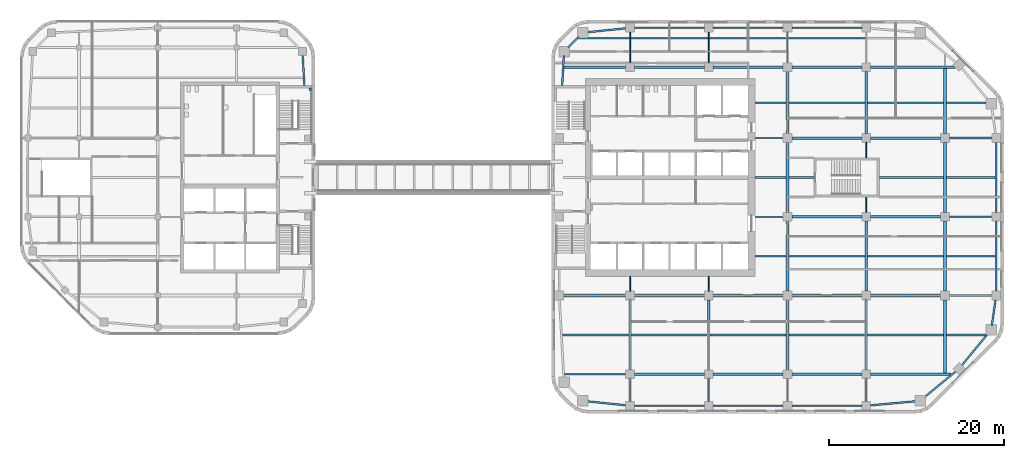
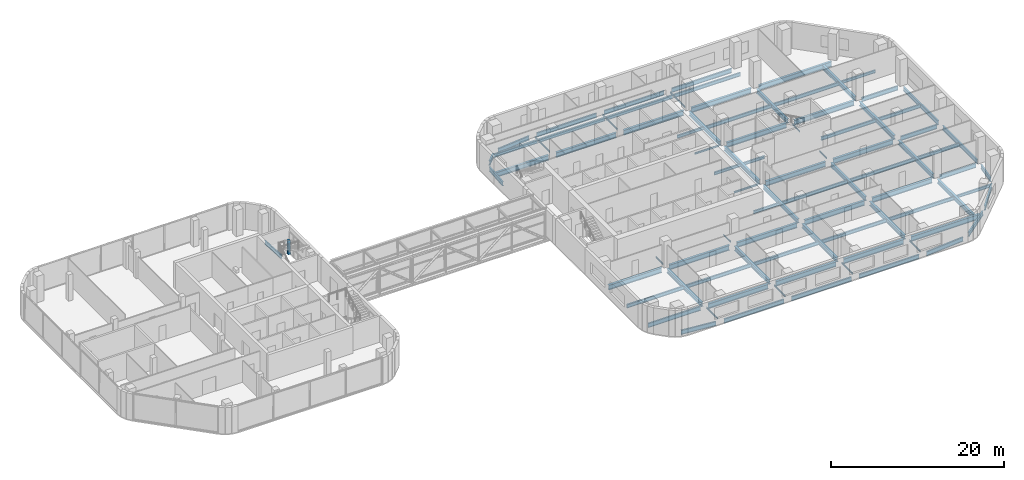
# One storey, part 8 of 21: 87 beams, 1 member.
"""IFC4 building model written with IfcOpenShell, lengths in metres."""

from ifc_helpers import new_model, si_unit, direction, frame, origin, origin_2d, place, context, subcontext, project, spatial, rectangle, i_section, extrude, material, material_profile, profile_set, type_object, element, save


model = new_model("IFC4")

# Units and contexts
model_context = context("Model", 3, precision=1e-05, world=origin(), true_north=direction((0.0, 1.0)))
body_context = subcontext(model_context, "Body", "Model", "MODEL_VIEW")
ifc_project = project(units=[si_unit("LENGTHUNIT", "METRE"), si_unit("AREAUNIT", "SQUARE_METRE"), si_unit("VOLUMEUNIT", "CUBIC_METRE"), si_unit("PLANEANGLEUNIT", "RADIAN"), si_unit("MASSUNIT", "GRAM", prefix="KILO")], contexts=[model_context])

# Site, building, storey
site_placement = place(None, origin())
site = spatial("IfcSite", under=ifc_project, at=site_placement, CompositionType="ELEMENT")
building_placement = place(site_placement, origin())
building = spatial("IfcBuilding", under=site, at=building_placement, Name="Cinnabar Reach Civic Tower", CompositionType="ELEMENT")
storey_placement = place(building_placement, frame((0.0, 0.0, 140.0)))
storey = spatial("IfcBuildingStorey", under=building, at=storey_placement, Name="L33", CompositionType="ELEMENT", Elevation=140.0)

# Beams
ifc_material_1 = material(Name="Steel Q355B", Category="steel")
ifc_material_profile_1 = material_profile(ifc_material_1, i_section(OverallWidth=0.302, OverallDepth=0.594, WebThickness=0.014, FlangeThickness=0.023, FilletRadius=0.016, at=origin_2d()), Name="HM594x302x14x23")
ifc_profile_set_1 = profile_set([ifc_material_profile_1], Name="Steel Q355B")
beam_type_1 = type_object("IfcBeamType", Name="HM594x302x14x23 beam R 180", PredefinedType="BEAM", material=ifc_profile_set_1)
for number, where, z_axis, x_axis, name in (
    (1, (9.0, 9.502, -0.447), (0.0, 1.0, 0.0), (-1.0, 0.0, 0.0), "Girder T1 L33 2"),
    (2, (18.0, 9.502, -0.447), (0.0, 1.0, 0.0), (-1.0, 0.0, 0.0), "Girder T1 L33 6"),
    (3, (27.0, 9.502, -0.447), (0.0, 1.0, 0.0), (-1.0, 0.0, 0.0), "Girder T1 L33 10"),
    (4, (27.0, 18.502, -0.447), (0.0, 1.0, 0.0), (-1.0, 0.0, 0.0), "Girder T1 L33 11"),
    (5, (27.0, 27.502, -0.447), (0.0, 1.0, 0.0), (-1.0, 0.0, 0.0), "Girder T1 L33 12"),
):
    element("IfcBeam", number, at=place(storey_placement, frame(where, z_axis=z_axis, x_axis=x_axis)), inside=storey, type_object=beam_type_1, Name=name, PredefinedType="BEAM", context=body_context, shape_type="SweptSolid", body=[
        extrude(i_section(OverallWidth=0.302, OverallDepth=0.594, WebThickness=0.014, FlangeThickness=0.023, FilletRadius=0.016, at=origin_2d()), origin(), (0.0, 0.0, 1.0), 7.996),
    ])
beam_1_placement = place(storey_placement, frame((27.0, 36.502, -0.447), z_axis=(0.0, 1.0, 0.0), x_axis=(-1.0, 0.0, 0.0)))
element("IfcBeam", 6, at=beam_1_placement, inside=storey, type_object=beam_type_1, Name="Girder T1 L33 13", PredefinedType="BEAM", context=body_context, shape_type="SweptSolid", body=[
    extrude(i_section(OverallWidth=0.302, OverallDepth=0.594, WebThickness=0.014, FlangeThickness=0.023, FilletRadius=0.016, at=origin_2d()), origin(), (0.0, 0.0, 1.0), 7.096),
])
for number, where, z_axis, x_axis, name in (
    (7, (36.0, 9.502, -0.447), (0.0, 1.0, 0.0), (-1.0, 0.0, 0.0), "Girder T1 L33 16"),
    (8, (36.0, 18.502, -0.447), (0.0, 1.0, 0.0), (-1.0, 0.0, 0.0), "Girder T1 L33 17"),
):
    element("IfcBeam", number, at=place(storey_placement, frame(where, z_axis=z_axis, x_axis=x_axis)), inside=storey, type_object=beam_type_1, Name=name, PredefinedType="BEAM", context=body_context, shape_type="SweptSolid", body=[
        extrude(i_section(OverallWidth=0.302, OverallDepth=0.594, WebThickness=0.014, FlangeThickness=0.023, FilletRadius=0.016, at=origin_2d()), origin(), (0.0, 0.0, 1.0), 7.996),
    ])
beam_2_placement = place(storey_placement, frame((36.0, 36.502, -0.447), z_axis=(0.0, 1.0, 0.0), x_axis=(-1.0, 0.0, 0.0)))
element("IfcBeam", 9, at=beam_2_placement, inside=storey, type_object=beam_type_1, Name="Girder T1 L33 20", PredefinedType="BEAM", context=body_context, shape_type="SweptSolid", body=[
    extrude(i_section(OverallWidth=0.302, OverallDepth=0.594, WebThickness=0.014, FlangeThickness=0.023, FilletRadius=0.016, at=origin_2d()), origin(), (0.0, 0.0, 1.0), 7.096),
])
beam_3_placement = place(storey_placement, frame((45.0, 9.152, -0.447), z_axis=(0.0, 1.0, 0.0), x_axis=(-1.0, 0.0, 0.0)))
element("IfcBeam", 10, at=beam_3_placement, inside=storey, type_object=beam_type_1, Name="Girder T1 L33 22", PredefinedType="BEAM", context=body_context, shape_type="SweptSolid", body=[
    extrude(i_section(OverallWidth=0.302, OverallDepth=0.594, WebThickness=0.014, FlangeThickness=0.023, FilletRadius=0.016, at=origin_2d()), origin(), (0.0, 0.0, 1.0), 8.346),
])
for number, where, z_axis, x_axis, name in (
    (11, (45.0, 18.502, -0.447), (0.0, 1.0, 0.0), (-1.0, 0.0, 0.0), "Girder T1 L33 23"),
    (12, (45.0, 27.502, -0.447), (0.0, 1.0, 0.0), (-1.0, 0.0, 0.0), "Girder T1 L33 24"),
):
    element("IfcBeam", number, at=place(storey_placement, frame(where, z_axis=z_axis, x_axis=x_axis)), inside=storey, type_object=beam_type_1, Name=name, PredefinedType="BEAM", context=body_context, shape_type="SweptSolid", body=[
        extrude(i_section(OverallWidth=0.302, OverallDepth=0.594, WebThickness=0.014, FlangeThickness=0.023, FilletRadius=0.016, at=origin_2d()), origin(), (0.0, 0.0, 1.0), 7.996),
    ])
beam_4_placement = place(storey_placement, frame((45.0, 36.502, -0.447), z_axis=(0.0, 1.0, 0.0), x_axis=(-1.0, 0.0, 0.0)))
element("IfcBeam", 13, at=beam_4_placement, inside=storey, type_object=beam_type_1, Name="Girder T1 L33 25", PredefinedType="BEAM", context=body_context, shape_type="SweptSolid", body=[
    extrude(i_section(OverallWidth=0.302, OverallDepth=0.594, WebThickness=0.014, FlangeThickness=0.023, FilletRadius=0.016, at=origin_2d()), origin(), (0.0, 0.0, 1.0), 7.446),
])
ifc_material_profile_2 = material_profile(ifc_material_1, i_section(OverallWidth=0.099, OverallDepth=0.198, WebThickness=0.0045, FlangeThickness=0.007, FilletRadius=0.013, at=origin_2d()), Name="HN200x100x5.5x8")
ifc_profile_set_2 = profile_set([ifc_material_profile_2], Name="Steel Q355B")
beam_type_2 = type_object("IfcBeamType", Name="HN200x100x5.5x8 beam R 180", PredefinedType="BEAM", material=ifc_profile_set_2)
beam_5_placement = place(storey_placement, frame((9.0, 5.902, -0.249), z_axis=(0.0, 1.0, 0.0), x_axis=(-1.0, 0.0, 0.0)))
element("IfcBeam", 14, at=beam_5_placement, inside=storey, type_object=beam_type_2, Name="Girder T1 L33 1", PredefinedType="BEAM", context=body_context, shape_type="SweptSolid", body=[
    extrude(i_section(OverallWidth=0.099, OverallDepth=0.198, WebThickness=0.0045, FlangeThickness=0.007, FilletRadius=0.013, at=origin_2d()), origin(), (0.0, 0.0, 1.0), 2.596),
])
beam_6_placement = place(storey_placement, frame((9.0, 18.502, -0.249), z_axis=(0.0, 1.0, 0.0), x_axis=(-1.0, 0.0, 0.0)))
element("IfcBeam", 15, at=beam_6_placement, inside=storey, type_object=beam_type_2, Name="Girder T1 L33 3", PredefinedType="BEAM", context=body_context, shape_type="SweptSolid", body=[
    extrude(i_section(OverallWidth=0.099, OverallDepth=0.198, WebThickness=0.0045, FlangeThickness=0.007, FilletRadius=0.013, at=origin_2d()), origin(), (0.0, 0.0, 1.0), 1.696),
])
beam_7_placement = place(storey_placement, frame((9.0, 44.602, -0.249), z_axis=(0.0, 1.0, 0.0), x_axis=(-1.0, 0.0, 0.0)))
element("IfcBeam", 16, at=beam_7_placement, inside=storey, type_object=beam_type_2, Name="Girder T1 L33 4", PredefinedType="BEAM", context=body_context, shape_type="SweptSolid", body=[
    extrude(i_section(OverallWidth=0.099, OverallDepth=0.198, WebThickness=0.0045, FlangeThickness=0.007, FilletRadius=0.013, at=origin_2d()), origin(), (0.0, 0.0, 1.0), 3.496),
])
beam_8_placement = place(storey_placement, frame((18.0, 5.902, -0.249), z_axis=(0.0, 1.0, 0.0), x_axis=(-1.0, 0.0, 0.0)))
element("IfcBeam", 17, at=beam_8_placement, inside=storey, type_object=beam_type_2, Name="Girder T1 L33 5", PredefinedType="BEAM", context=body_context, shape_type="SweptSolid", body=[
    extrude(i_section(OverallWidth=0.099, OverallDepth=0.198, WebThickness=0.0045, FlangeThickness=0.007, FilletRadius=0.013, at=origin_2d()), origin(), (0.0, 0.0, 1.0), 2.596),
])
beam_9_placement = place(storey_placement, frame((18.0, 18.502, -0.249), z_axis=(0.0, 1.0, 0.0), x_axis=(-1.0, 0.0, 0.0)))
element("IfcBeam", 18, at=beam_9_placement, inside=storey, type_object=beam_type_2, Name="Girder T1 L33 7", PredefinedType="BEAM", context=body_context, shape_type="SweptSolid", body=[
    extrude(i_section(OverallWidth=0.099, OverallDepth=0.198, WebThickness=0.0045, FlangeThickness=0.007, FilletRadius=0.013, at=origin_2d()), origin(), (0.0, 0.0, 1.0), 1.696),
])
beam_10_placement = place(storey_placement, frame((18.0, 44.602, -0.249), z_axis=(0.0, 1.0, 0.0), x_axis=(-1.0, 0.0, 0.0)))
element("IfcBeam", 19, at=beam_10_placement, inside=storey, type_object=beam_type_2, Name="Girder T1 L33 8", PredefinedType="BEAM", context=body_context, shape_type="SweptSolid", body=[
    extrude(i_section(OverallWidth=0.099, OverallDepth=0.198, WebThickness=0.0045, FlangeThickness=0.007, FilletRadius=0.013, at=origin_2d()), origin(), (0.0, 0.0, 1.0), 3.496),
])
beam_11_placement = place(storey_placement, frame((27.0, 5.902, -0.249), z_axis=(0.0, 1.0, 0.0), x_axis=(-1.0, 0.0, 0.0)))
element("IfcBeam", 20, at=beam_11_placement, inside=storey, type_object=beam_type_2, Name="Girder T1 L33 9", PredefinedType="BEAM", context=body_context, shape_type="SweptSolid", body=[
    extrude(i_section(OverallWidth=0.099, OverallDepth=0.198, WebThickness=0.0045, FlangeThickness=0.007, FilletRadius=0.013, at=origin_2d()), origin(), (0.0, 0.0, 1.0), 2.596),
])
beam_12_placement = place(storey_placement, frame((27.0, 44.602, -0.249), z_axis=(0.0, 1.0, 0.0), x_axis=(-1.0, 0.0, 0.0)))
element("IfcBeam", 21, at=beam_12_placement, inside=storey, type_object=beam_type_2, Name="Girder T1 L33 14", PredefinedType="BEAM", context=body_context, shape_type="SweptSolid", body=[
    extrude(i_section(OverallWidth=0.099, OverallDepth=0.198, WebThickness=0.0045, FlangeThickness=0.007, FilletRadius=0.013, at=origin_2d()), origin(), (0.0, 0.0, 1.0), 3.496),
])
beam_13_placement = place(storey_placement, frame((36.0, 5.902, -0.249), z_axis=(0.0, 1.0, 0.0), x_axis=(-1.0, 0.0, 0.0)))
element("IfcBeam", 22, at=beam_13_placement, inside=storey, type_object=beam_type_2, Name="Girder T1 L33 15", PredefinedType="BEAM", context=body_context, shape_type="SweptSolid", body=[
    extrude(i_section(OverallWidth=0.099, OverallDepth=0.198, WebThickness=0.0045, FlangeThickness=0.007, FilletRadius=0.013, at=origin_2d()), origin(), (0.0, 0.0, 1.0), 2.596),
])
for number, where, z_axis, x_axis, name in (
    (23, (36.0, 27.502, -0.249), (0.0, 1.0, 0.0), (-1.0, 0.0, 0.0), "Girder T1 L33 18"),
    (24, (36.0, 33.752, -0.249), (0.0, 1.0, 0.0), (-1.0, 0.0, 0.0), "Girder T1 L33 19"),
):
    element("IfcBeam", number, at=place(storey_placement, frame(where, z_axis=z_axis, x_axis=x_axis)), inside=storey, type_object=beam_type_2, Name=name, PredefinedType="BEAM", context=body_context, shape_type="SweptSolid", body=[
        extrude(i_section(OverallWidth=0.099, OverallDepth=0.198, WebThickness=0.0045, FlangeThickness=0.007, FilletRadius=0.013, at=origin_2d()), origin(), (0.0, 0.0, 1.0), 1.746),
    ])
ifc_material_profile_3 = material_profile(ifc_material_1, i_section(OverallWidth=0.124, OverallDepth=0.248, WebThickness=0.005, FlangeThickness=0.008, FilletRadius=0.013, at=origin_2d()), Name="HN250x125x6x9")
ifc_profile_set_3 = profile_set([ifc_material_profile_3], Name="Steel Q355B")
beam_type_3 = type_object("IfcBeamType", Name="HN250x125x6x9 beam R 180", PredefinedType="BEAM", material=ifc_profile_set_3)
for number, where, z_axis, x_axis, name in (
    (25, (23.302, 27.0, -0.274), (1.0, 0.0, 0.0), (0.0, 1.0, 0.0), "Girder T1 L33 12"),
    (26, (23.302, 36.0, -0.274), (1.0, 0.0, 0.0), (0.0, 1.0, 0.0), "Girder T1 L33 16"),
):
    element("IfcBeam", number, at=place(storey_placement, frame(where, z_axis=z_axis, x_axis=x_axis)), inside=storey, type_object=beam_type_3, Name=name, PredefinedType="BEAM", context=body_context, shape_type="SweptSolid", body=[
        extrude(i_section(OverallWidth=0.124, OverallDepth=0.248, WebThickness=0.005, FlangeThickness=0.008, FilletRadius=0.013, at=origin_2d()), origin(), (0.0, 0.0, 1.0), 3.196),
    ])
ifc_material_profile_4 = material_profile(ifc_material_1, i_section(OverallWidth=0.199, OverallDepth=0.396, WebThickness=0.007, FlangeThickness=0.011, FilletRadius=0.013, at=origin_2d()), Name="HN396x199x7x11")
ifc_profile_set_4 = profile_set([ifc_material_profile_4], Name="Steel Q355B")
beam_type_4 = type_object("IfcBeamType", Name="HN396x199x7x11 beam R 180", PredefinedType="BEAM", material=ifc_profile_set_4)
beam_14_placement = place(storey_placement, frame((45.153, 13.5, -0.348), z_axis=(1.0, 0.0, 0.0), x_axis=(0.0, 1.0, 0.0)))
element("IfcBeam", 27, at=beam_14_placement, inside=storey, type_object=beam_type_4, Name="Secondary beam T1 L33 6", PredefinedType="BEAM", context=body_context, shape_type="SweptSolid", body=[
    extrude(i_section(OverallWidth=0.199, OverallDepth=0.396, WebThickness=0.007, FlangeThickness=0.011, FilletRadius=0.013, at=origin_2d()), origin(), (0.0, 0.0, 1.0), 4.5152),
])
for number, where, z_axis, x_axis, name in (
    (28, (23.302, 22.5, -0.348), (1.0, 0.0, 0.0), (0.0, 1.0, 0.0), "Secondary beam T1 L33 7"),
    (29, (23.302, 31.5, -0.348), (1.0, 0.0, 0.0), (0.0, 1.0, 0.0), "Secondary beam T1 L33 12"),
):
    element("IfcBeam", number, at=place(storey_placement, frame(where, z_axis=z_axis, x_axis=x_axis)), inside=storey, type_object=beam_type_4, Name=name, PredefinedType="BEAM", context=body_context, shape_type="SweptSolid", body=[
        extrude(i_section(OverallWidth=0.199, OverallDepth=0.396, WebThickness=0.007, FlangeThickness=0.011, FilletRadius=0.013, at=origin_2d()), origin(), (0.0, 0.0, 1.0), 3.545),
    ])
beam_15_placement = place(storey_placement, frame((27.153, 31.5, -0.348), z_axis=(1.0, 0.0, 0.0), x_axis=(0.0, 1.0, 0.0)))
element("IfcBeam", 30, at=beam_15_placement, inside=storey, type_object=beam_type_4, Name="Secondary beam T1 L33 13", PredefinedType="BEAM", context=body_context, shape_type="SweptSolid", body=[
    extrude(i_section(OverallWidth=0.199, OverallDepth=0.396, WebThickness=0.007, FlangeThickness=0.011, FilletRadius=0.013, at=origin_2d()), origin(), (0.0, 0.0, 1.0), 2.845),
])
beam_16_placement = place(storey_placement, frame((23.302, 40.05, -0.348), z_axis=(1.0, 0.0, 0.0), x_axis=(0.0, 1.0, 0.0)))
element("IfcBeam", 31, at=beam_16_placement, inside=storey, type_object=beam_type_4, Name="Secondary beam T1 L33 16", PredefinedType="BEAM", context=body_context, shape_type="SweptSolid", body=[
    extrude(i_section(OverallWidth=0.199, OverallDepth=0.396, WebThickness=0.007, FlangeThickness=0.011, FilletRadius=0.013, at=origin_2d()), origin(), (0.0, 0.0, 1.0), 3.545),
])
beam_17_placement = place(storey_placement, frame((45.153, 40.05, -0.348), z_axis=(1.0, 0.0, 0.0), x_axis=(0.0, 1.0, 0.0)))
element("IfcBeam", 32, at=beam_17_placement, inside=storey, type_object=beam_type_4, Name="Secondary beam T1 L33 19", PredefinedType="BEAM", context=body_context, shape_type="SweptSolid", body=[
    extrude(i_section(OverallWidth=0.199, OverallDepth=0.396, WebThickness=0.007, FlangeThickness=0.011, FilletRadius=0.013, at=origin_2d()), origin(), (0.0, 0.0, 1.0), 4.5419),
])
ifc_material_profile_5 = material_profile(ifc_material_1, i_section(OverallWidth=0.199, OverallDepth=0.496, WebThickness=0.009, FlangeThickness=0.014, FilletRadius=0.016, at=origin_2d()), Name="HN496x199x9x14")
ifc_profile_set_5 = profile_set([ifc_material_profile_5], Name="Steel Q355B")
beam_type_5 = type_object("IfcBeamType", Name="HN496x199x9x14 beam R 180", PredefinedType="BEAM", material=ifc_profile_set_5)
beam_18_placement = place(storey_placement, frame((1.2536, 13.5, -0.398), z_axis=(1.0, 0.0, 0.0), x_axis=(0.0, 1.0, 0.0)))
element("IfcBeam", 33, at=beam_18_placement, inside=storey, type_object=beam_type_5, Name="Secondary beam T1 L33 1", PredefinedType="BEAM", context=body_context, shape_type="SweptSolid", body=[
    extrude(i_section(OverallWidth=0.199, OverallDepth=0.496, WebThickness=0.009, FlangeThickness=0.014, FilletRadius=0.016, at=origin_2d()), origin(), (0.0, 0.0, 1.0), 7.5934),
])
for number, where, z_axis, x_axis, name in (
    (34, (9.153, 13.5, -0.398), (1.0, 0.0, 0.0), (0.0, 1.0, 0.0), "Secondary beam T1 L33 2"),
    (35, (18.153, 13.5, -0.398), (1.0, 0.0, 0.0), (0.0, 1.0, 0.0), "Secondary beam T1 L33 3"),
    (36, (27.153, 13.5, -0.398), (1.0, 0.0, 0.0), (0.0, 1.0, 0.0), "Secondary beam T1 L33 4"),
    (37, (36.153, 13.5, -0.398), (1.0, 0.0, 0.0), (0.0, 1.0, 0.0), "Secondary beam T1 L33 5"),
    (38, (27.153, 22.5, -0.398), (1.0, 0.0, 0.0), (0.0, 1.0, 0.0), "Secondary beam T1 L33 8"),
    (39, (36.153, 22.5, -0.398), (1.0, 0.0, 0.0), (0.0, 1.0, 0.0), "Secondary beam T1 L33 9"),
):
    element("IfcBeam", number, at=place(storey_placement, frame(where, z_axis=z_axis, x_axis=x_axis)), inside=storey, type_object=beam_type_5, Name=name, PredefinedType="BEAM", context=body_context, shape_type="SweptSolid", body=[
        extrude(i_section(OverallWidth=0.199, OverallDepth=0.496, WebThickness=0.009, FlangeThickness=0.014, FilletRadius=0.016, at=origin_2d()), origin(), (0.0, 0.0, 1.0), 8.694),
    ])
beam_19_placement = place(storey_placement, frame((45.153, 22.5, -0.398), z_axis=(1.0, 0.0, 0.0), x_axis=(0.0, 1.0, 0.0)))
element("IfcBeam", 40, at=beam_19_placement, inside=storey, type_object=beam_type_5, Name="Secondary beam T1 L33 10", PredefinedType="BEAM", context=body_context, shape_type="SweptSolid", body=[
    extrude(i_section(OverallWidth=0.199, OverallDepth=0.496, WebThickness=0.009, FlangeThickness=0.014, FilletRadius=0.016, at=origin_2d()), origin(), (0.0, 0.0, 1.0), 5.595),
])
beam_20_placement = place(storey_placement, frame((37.502, 31.5, -0.398), z_axis=(1.0, 0.0, 0.0), x_axis=(0.0, 1.0, 0.0)))
element("IfcBeam", 41, at=beam_20_placement, inside=storey, type_object=beam_type_5, Name="Secondary beam T1 L33 14", PredefinedType="BEAM", context=body_context, shape_type="SweptSolid", body=[
    extrude(i_section(OverallWidth=0.199, OverallDepth=0.496, WebThickness=0.009, FlangeThickness=0.014, FilletRadius=0.016, at=origin_2d()), origin(), (0.0, 0.0, 1.0), 7.345),
])
beam_21_placement = place(storey_placement, frame((45.153, 31.5, -0.398), z_axis=(1.0, 0.0, 0.0), x_axis=(0.0, 1.0, 0.0)))
element("IfcBeam", 42, at=beam_21_placement, inside=storey, type_object=beam_type_5, Name="Secondary beam T1 L33 15", PredefinedType="BEAM", context=body_context, shape_type="SweptSolid", body=[
    extrude(i_section(OverallWidth=0.199, OverallDepth=0.496, WebThickness=0.009, FlangeThickness=0.014, FilletRadius=0.016, at=origin_2d()), origin(), (0.0, 0.0, 1.0), 5.595),
])
for number, where, z_axis, x_axis, name in (
    (43, (27.153, 40.05, -0.398), (1.0, 0.0, 0.0), (0.0, 1.0, 0.0), "Secondary beam T1 L33 17"),
    (44, (36.153, 40.05, -0.398), (1.0, 0.0, 0.0), (0.0, 1.0, 0.0), "Secondary beam T1 L33 18"),
):
    element("IfcBeam", number, at=place(storey_placement, frame(where, z_axis=z_axis, x_axis=x_axis)), inside=storey, type_object=beam_type_5, Name=name, PredefinedType="BEAM", context=body_context, shape_type="SweptSolid", body=[
        extrude(i_section(OverallWidth=0.199, OverallDepth=0.496, WebThickness=0.009, FlangeThickness=0.014, FilletRadius=0.016, at=origin_2d()), origin(), (0.0, 0.0, 1.0), 8.694),
    ])
beam_22_placement = place(storey_placement, frame((3.0992, 47.4, -0.398), z_axis=(1.0, 0.0, 0.0), x_axis=(0.0, 1.0, 0.0)))
element("IfcBeam", 45, at=beam_22_placement, inside=storey, type_object=beam_type_5, Name="Secondary beam T1 L33 20", PredefinedType="BEAM", context=body_context, shape_type="SweptSolid", body=[
    extrude(i_section(OverallWidth=0.199, OverallDepth=0.496, WebThickness=0.009, FlangeThickness=0.014, FilletRadius=0.016, at=origin_2d()), origin(), (0.0, 0.0, 1.0), 5.8493),
])
for number, where, z_axis, x_axis, name in (
    (46, (9.0515, 47.4, -0.398), (1.0, 0.0, 0.0), (0.0, 1.0, 0.0), "Secondary beam T1 L33 21"),
    (47, (18.0515, 47.4, -0.398), (1.0, 0.0, 0.0), (0.0, 1.0, 0.0), "Secondary beam T1 L33 22"),
    (48, (27.0515, 47.4, -0.398), (1.0, 0.0, 0.0), (0.0, 1.0, 0.0), "Secondary beam T1 L33 23"),
):
    element("IfcBeam", number, at=place(storey_placement, frame(where, z_axis=z_axis, x_axis=x_axis)), inside=storey, type_object=beam_type_5, Name=name, PredefinedType="BEAM", context=body_context, shape_type="SweptSolid", body=[
        extrude(i_section(OverallWidth=0.199, OverallDepth=0.496, WebThickness=0.009, FlangeThickness=0.014, FilletRadius=0.016, at=origin_2d()), origin(), (0.0, 0.0, 1.0), 8.897),
    ])
ifc_material_profile_6 = material_profile(ifc_material_1, i_section(OverallWidth=0.2, OverallDepth=0.5, WebThickness=0.01, FlangeThickness=0.016, FilletRadius=0.016, at=origin_2d()), Name="HN500x200x10x16")
ifc_profile_set_6 = profile_set([ifc_material_profile_6], Name="Steel Q355B")
beam_type_6 = type_object("IfcBeamType", Name="HN500x200x10x16 beam R 120", PredefinedType="BEAM", material=ifc_profile_set_6)
beam_23_placement = place(storey_placement, frame((-28.2354, 42.002, -0.4), z_axis=(-0.055775670196, 0.99844332569, 0.0), x_axis=(-0.99844332569, -0.055775670196, 0.0)))
element("IfcBeam", 49, at=beam_23_placement, inside=storey, type_object=beam_type_6, Name="Edge beam T2 L33 6", PredefinedType="BEAM", context=body_context, shape_type="SweptSolid", body=[
    extrude(i_section(OverallWidth=0.2, OverallDepth=0.5, WebThickness=0.01, FlangeThickness=0.016, FilletRadius=0.016, at=origin_2d()), origin(), (0.0, 0.0, 1.0), 3.5697),
])
ifc_material_profile_7 = material_profile(ifc_material_1, i_section(OverallWidth=0.199, OverallDepth=0.596, WebThickness=0.01, FlangeThickness=0.015, FilletRadius=0.016, at=origin_2d()), Name="HN596x199x10x15")
ifc_profile_set_7 = profile_set([ifc_material_profile_7], Name="Steel Q355B")
beam_type_7 = type_object("IfcBeamType", Name="HN596x199x10x15 beam R 180", PredefinedType="BEAM", material=ifc_profile_set_7)
beam_24_placement = place(storey_placement, frame((1.5051, 9.0, -0.448), z_axis=(1.0, 0.0, 0.0), x_axis=(0.0, 1.0, 0.0)))
element("IfcBeam", 50, at=beam_24_placement, inside=storey, type_object=beam_type_7, Name="Girder T1 L33 1", PredefinedType="BEAM", context=body_context, shape_type="SweptSolid", body=[
    extrude(i_section(OverallWidth=0.199, OverallDepth=0.596, WebThickness=0.01, FlangeThickness=0.015, FilletRadius=0.016, at=origin_2d()), origin(), (0.0, 0.0, 1.0), 6.9929),
])
for number, where, z_axis, x_axis, name in (
    (51, (45.502, 18.0, -0.448), (1.0, 0.0, 0.0), (0.0, 1.0, 0.0), "Girder T1 L33 11"),
    (52, (45.502, 27.0, -0.448), (1.0, 0.0, 0.0), (0.0, 1.0, 0.0), "Girder T1 L33 15"),
    (53, (45.502, 36.0, -0.448), (1.0, 0.0, 0.0), (0.0, 1.0, 0.0), "Girder T1 L33 19"),
):
    element("IfcBeam", number, at=place(storey_placement, frame(where, z_axis=z_axis, x_axis=x_axis)), inside=storey, type_object=beam_type_7, Name=name, PredefinedType="BEAM", context=body_context, shape_type="SweptSolid", body=[
        extrude(i_section(OverallWidth=0.199, OverallDepth=0.596, WebThickness=0.01, FlangeThickness=0.015, FilletRadius=0.016, at=origin_2d()), origin(), (0.0, 0.0, 1.0), 4.846),
    ])
ifc_material_profile_8 = material_profile(ifc_material_1, i_section(OverallWidth=0.2, OverallDepth=0.6, WebThickness=0.011, FlangeThickness=0.017, FilletRadius=0.016, at=origin_2d()), Name="HN600x200x11x17")
ifc_profile_set_8 = profile_set([ifc_material_profile_8], Name="Steel Q355B")
beam_type_8 = type_object("IfcBeamType", Name="HN600x200x11x17 beam R 180", PredefinedType="BEAM", material=ifc_profile_set_8)
beam_25_placement = place(storey_placement, frame((4.0839, 5.9037, -0.45), z_axis=(0.994791228755, -0.101933366432, 0.0), x_axis=(0.101933366432, 0.994791228755, 0.0)))
element("IfcBeam", 54, at=beam_25_placement, inside=storey, type_object=beam_type_8, Name="Edge beam T1 L33 1", PredefinedType="BEAM", context=body_context, shape_type="SweptSolid", body=[
    extrude(i_section(OverallWidth=0.2, OverallDepth=0.6, WebThickness=0.011, FlangeThickness=0.017, FilletRadius=0.016, at=origin_2d()), origin(), (0.0, 0.0, 1.0), 4.4372),
])
for number, where, z_axis, x_axis, name in (
    (55, (9.502, 5.4, -0.45), (1.0, 0.0, 0.0), (0.0, 1.0, 0.0), "Edge beam T1 L33 2"),
    (56, (18.502, 5.4, -0.45), (1.0, 0.0, 0.0), (0.0, 1.0, 0.0), "Edge beam T1 L33 3"),
    (57, (27.502, 5.4, -0.45), (1.0, 0.0, 0.0), (0.0, 1.0, 0.0), "Edge beam T1 L33 4"),
):
    element("IfcBeam", number, at=place(storey_placement, frame(where, z_axis=z_axis, x_axis=x_axis)), inside=storey, type_object=beam_type_8, Name=name, PredefinedType="BEAM", context=body_context, shape_type="SweptSolid", body=[
        extrude(i_section(OverallWidth=0.2, OverallDepth=0.6, WebThickness=0.011, FlangeThickness=0.017, FilletRadius=0.016, at=origin_2d()), origin(), (0.0, 0.0, 1.0), 7.996),
    ])
beam_26_placement = place(storey_placement, frame((36.502, 5.4452, -0.45), z_axis=(0.995979069281, 0.089586235294, 0.0), x_axis=(-0.089586235294, 0.995979069281, 0.0)))
element("IfcBeam", 58, at=beam_26_placement, inside=storey, type_object=beam_type_8, Name="Edge beam T1 L33 5", PredefinedType="BEAM", context=body_context, shape_type="SweptSolid", body=[
    extrude(i_section(OverallWidth=0.2, OverallDepth=0.6, WebThickness=0.011, FlangeThickness=0.017, FilletRadius=0.016, at=origin_2d()), origin(), (0.0, 0.0, 1.0), 5.1849),
])
for number, where, z_axis, x_axis, name in (
    (59, (42.6301, 6.3507, -0.45), (0.77143827905, 0.6363041581, 0.0), (-0.6363041581, 0.77143827905, 0.0), "Edge beam T1 L33 6"),
    (60, (46.8961, 9.9789, -0.45), (0.6363041581, 0.77143827905, 0.0), (-0.77143827905, 0.6363041581, 0.0), "Edge beam T1 L33 7"),
):
    element("IfcBeam", number, at=place(storey_placement, frame(where, z_axis=z_axis, x_axis=x_axis)), inside=storey, type_object=beam_type_8, Name=name, PredefinedType="BEAM", context=body_context, shape_type="SweptSolid", body=[
        extrude(i_section(OverallWidth=0.2, OverallDepth=0.6, WebThickness=0.011, FlangeThickness=0.017, FilletRadius=0.016, at=origin_2d()), origin(), (0.0, 0.0, 1.0), 4.7198),
    ])
beam_27_placement = place(storey_placement, frame((50.3653, 14.5839, -0.45), z_axis=(0.140489003738, 0.990082238922, 0.0), x_axis=(-0.990082238922, 0.140489003738, 0.0)))
element("IfcBeam", 61, at=beam_27_placement, inside=storey, type_object=beam_type_8, Name="Edge beam T1 L33 8", PredefinedType="BEAM", context=body_context, shape_type="SweptSolid", body=[
    extrude(i_section(OverallWidth=0.2, OverallDepth=0.6, WebThickness=0.011, FlangeThickness=0.017, FilletRadius=0.016, at=origin_2d()), origin(), (0.0, 0.0, 1.0), 2.9433),
])
for number, where, z_axis, x_axis, name in (
    (62, (50.85, 18.502, -0.45), (0.0, 1.0, 0.0), (-1.0, 0.0, 0.0), "Edge beam T1 L33 9"),
    (63, (50.85, 27.502, -0.45), (0.0, 1.0, 0.0), (-1.0, 0.0, 0.0), "Edge beam T1 L33 10"),
    (64, (35.498, 48.6, -0.45), (-1.0, 0.0, 0.0), (0.0, -1.0, 0.0), "Edge beam T1 L33 15"),
    (65, (26.498, 48.6, -0.45), (-1.0, 0.0, 0.0), (0.0, -1.0, 0.0), "Edge beam T1 L33 16"),
    (66, (17.498, 48.6, -0.45), (-1.0, 0.0, 0.0), (0.0, -1.0, 0.0), "Edge beam T1 L33 17"),
):
    element("IfcBeam", number, at=place(storey_placement, frame(where, z_axis=z_axis, x_axis=x_axis)), inside=storey, type_object=beam_type_8, Name=name, PredefinedType="BEAM", context=body_context, shape_type="SweptSolid", body=[
        extrude(i_section(OverallWidth=0.2, OverallDepth=0.6, WebThickness=0.011, FlangeThickness=0.017, FilletRadius=0.016, at=origin_2d()), origin(), (0.0, 0.0, 1.0), 7.996),
    ])
beam_28_placement = place(storey_placement, frame((8.498, 48.5486, -0.45), z_axis=(-0.994791228755, -0.101933366432, 0.0), x_axis=(0.101933366432, -0.994791228755, 0.0)))
element("IfcBeam", 67, at=beam_28_placement, inside=storey, type_object=beam_type_8, Name="Edge beam T1 L33 18", PredefinedType="BEAM", context=body_context, shape_type="SweptSolid", body=[
    extrude(i_section(OverallWidth=0.2, OverallDepth=0.6, WebThickness=0.011, FlangeThickness=0.017, FilletRadius=0.016, at=origin_2d()), origin(), (0.0, 0.0, 1.0), 4.4372),
])
beam_29_placement = place(storey_placement, frame((3.1199, 47.5649, -0.45), z_axis=(-0.707106781187, -0.707106781187, 0.0), x_axis=(0.707106781187, -0.707106781187, 0.0)))
element("IfcBeam", 68, at=beam_29_placement, inside=storey, type_object=beam_type_8, Name="Edge beam T1 L33 19", PredefinedType="BEAM", context=body_context, shape_type="SweptSolid", body=[
    extrude(i_section(OverallWidth=0.2, OverallDepth=0.6, WebThickness=0.011, FlangeThickness=0.017, FilletRadius=0.016, at=origin_2d()), origin(), (0.0, 0.0, 1.0), 1.6756),
])
beam_30_placement = place(storey_placement, frame((1.4262, 45.4161, -0.45), z_axis=(-0.055798816608, -0.998442032401, 0.0), x_axis=(0.998442032401, -0.055798816608, 0.0)))
element("IfcBeam", 69, at=beam_30_placement, inside=storey, type_object=beam_type_8, Name="Edge beam T1 L33 20", PredefinedType="BEAM", context=body_context, shape_type="SweptSolid", body=[
    extrude(i_section(OverallWidth=0.2, OverallDepth=0.6, WebThickness=0.011, FlangeThickness=0.017, FilletRadius=0.016, at=origin_2d()), origin(), (0.0, 0.0, 1.0), 3.4194),
])
ifc_material_profile_9 = material_profile(ifc_material_1, i_section(OverallWidth=0.3, OverallDepth=0.692, WebThickness=0.013, FlangeThickness=0.02, FilletRadius=0.016, at=origin_2d()), Name="HN692x300x13x20")
ifc_profile_set_9 = profile_set([ifc_material_profile_9], Name="Steel Q355B")
beam_type_9 = type_object("IfcBeamType", Name="HN692x300x13x20 beam R 180", PredefinedType="BEAM", material=ifc_profile_set_9)
for number, where, z_axis, x_axis, name in (
    (70, (9.502, 9.0, -0.496), (1.0, 0.0, 0.0), (0.0, 1.0, 0.0), "Girder T1 L33 2"),
    (71, (18.502, 9.0, -0.496), (1.0, 0.0, 0.0), (0.0, 1.0, 0.0), "Girder T1 L33 3"),
    (72, (27.502, 9.0, -0.496), (1.0, 0.0, 0.0), (0.0, 1.0, 0.0), "Girder T1 L33 4"),
):
    element("IfcBeam", number, at=place(storey_placement, frame(where, z_axis=z_axis, x_axis=x_axis)), inside=storey, type_object=beam_type_9, Name=name, PredefinedType="BEAM", context=body_context, shape_type="SweptSolid", body=[
        extrude(i_section(OverallWidth=0.3, OverallDepth=0.692, WebThickness=0.013, FlangeThickness=0.02, FilletRadius=0.016, at=origin_2d()), origin(), (0.0, 0.0, 1.0), 7.996),
    ])
beam_31_placement = place(storey_placement, frame((36.502, 9.0, -0.496), z_axis=(1.0, 0.0, 0.0), x_axis=(0.0, 1.0, 0.0)))
element("IfcBeam", 73, at=beam_31_placement, inside=storey, type_object=beam_type_9, Name="Girder T1 L33 5", PredefinedType="BEAM", context=body_context, shape_type="SweptSolid", body=[
    extrude(i_section(OverallWidth=0.3, OverallDepth=0.692, WebThickness=0.013, FlangeThickness=0.02, FilletRadius=0.016, at=origin_2d()), origin(), (0.0, 0.0, 1.0), 9.1798),
])
beam_32_placement = place(storey_placement, frame((1.402, 18.0, -0.496), z_axis=(1.0, 0.0, 0.0), x_axis=(0.0, 1.0, 0.0)))
element("IfcBeam", 74, at=beam_32_placement, inside=storey, type_object=beam_type_9, Name="Girder T1 L33 6", PredefinedType="BEAM", context=body_context, shape_type="SweptSolid", body=[
    extrude(i_section(OverallWidth=0.3, OverallDepth=0.692, WebThickness=0.013, FlangeThickness=0.02, FilletRadius=0.016, at=origin_2d()), origin(), (0.0, 0.0, 1.0), 7.096),
])
for number, where, z_axis, x_axis, name in (
    (75, (9.502, 18.0, -0.496), (1.0, 0.0, 0.0), (0.0, 1.0, 0.0), "Girder T1 L33 7"),
    (76, (18.502, 18.0, -0.496), (1.0, 0.0, 0.0), (0.0, 1.0, 0.0), "Girder T1 L33 8"),
    (77, (27.502, 18.0, -0.496), (1.0, 0.0, 0.0), (0.0, 1.0, 0.0), "Girder T1 L33 9"),
    (78, (36.502, 18.0, -0.496), (1.0, 0.0, 0.0), (0.0, 1.0, 0.0), "Girder T1 L33 10"),
    (79, (27.502, 27.0, -0.496), (1.0, 0.0, 0.0), (0.0, 1.0, 0.0), "Girder T1 L33 13"),
    (80, (36.502, 27.0, -0.496), (1.0, 0.0, 0.0), (0.0, 1.0, 0.0), "Girder T1 L33 14"),
    (81, (27.502, 36.0, -0.496), (1.0, 0.0, 0.0), (0.0, 1.0, 0.0), "Girder T1 L33 17"),
    (82, (36.502, 36.0, -0.496), (1.0, 0.0, 0.0), (0.0, 1.0, 0.0), "Girder T1 L33 18"),
):
    element("IfcBeam", number, at=place(storey_placement, frame(where, z_axis=z_axis, x_axis=x_axis)), inside=storey, type_object=beam_type_9, Name=name, PredefinedType="BEAM", context=body_context, shape_type="SweptSolid", body=[
        extrude(i_section(OverallWidth=0.3, OverallDepth=0.692, WebThickness=0.013, FlangeThickness=0.02, FilletRadius=0.016, at=origin_2d()), origin(), (0.0, 0.0, 1.0), 7.996),
    ])
beam_33_placement = place(storey_placement, frame((1.4548, 44.1, -0.496), z_axis=(1.0, 0.0, 0.0), x_axis=(0.0, 1.0, 0.0)))
element("IfcBeam", 83, at=beam_33_placement, inside=storey, type_object=beam_type_9, Name="Girder T1 L33 20", PredefinedType="BEAM", context=body_context, shape_type="SweptSolid", body=[
    extrude(i_section(OverallWidth=0.3, OverallDepth=0.692, WebThickness=0.013, FlangeThickness=0.02, FilletRadius=0.016, at=origin_2d()), origin(), (0.0, 0.0, 1.0), 7.0432),
])
for number, where, z_axis, x_axis, name in (
    (84, (9.502, 44.1, -0.496), (1.0, 0.0, 0.0), (0.0, 1.0, 0.0), "Girder T1 L33 21"),
    (85, (18.502, 44.1, -0.496), (1.0, 0.0, 0.0), (0.0, 1.0, 0.0), "Girder T1 L33 22"),
    (86, (27.502, 44.1, -0.496), (1.0, 0.0, 0.0), (0.0, 1.0, 0.0), "Girder T1 L33 23"),
):
    element("IfcBeam", number, at=place(storey_placement, frame(where, z_axis=z_axis, x_axis=x_axis)), inside=storey, type_object=beam_type_9, Name=name, PredefinedType="BEAM", context=body_context, shape_type="SweptSolid", body=[
        extrude(i_section(OverallWidth=0.3, OverallDepth=0.692, WebThickness=0.013, FlangeThickness=0.02, FilletRadius=0.016, at=origin_2d()), origin(), (0.0, 0.0, 1.0), 7.996),
    ])
beam_34_placement = place(storey_placement, frame((36.502, 44.1, -0.496), z_axis=(1.0, 0.0, 0.0), x_axis=(0.0, 1.0, 0.0)))
element("IfcBeam", 87, at=beam_34_placement, inside=storey, type_object=beam_type_9, Name="Girder T1 L33 24", PredefinedType="BEAM", context=body_context, shape_type="SweptSolid", body=[
    extrude(i_section(OverallWidth=0.3, OverallDepth=0.692, WebThickness=0.013, FlangeThickness=0.02, FilletRadius=0.016, at=origin_2d()), origin(), (0.0, 0.0, 1.0), 9.6653),
])

# Member
ifc_material_2 = material(Name="Concrete C40", Category="concrete")
ifc_material_profile_10 = material_profile(ifc_material_2, rectangle(XDim=0.3, YDim=0.3, at=origin_2d()), Name="C300")
ifc_profile_set_10 = profile_set([ifc_material_profile_10], Name="Concrete C40")
member_type = type_object("IfcMemberType", Name="T2 stair post 300", PredefinedType="STRUT", material=ifc_profile_set_10)
member_placement = place(storey_placement, frame((-27.55, 41.6, 0.0), z_axis=(0.0, 0.0, 1.0), x_axis=(1.0, 0.0, 0.0)))
element("IfcMember", 88, at=member_placement, inside=storey, type_object=member_type, Name="Stair post 2", PredefinedType="STRUT", context=body_context, shape_type="SweptSolid", body=[
    extrude(rectangle(XDim=0.3, YDim=0.3, at=origin_2d()), origin(), (0.0, 0.0, 1.0), 2.0),
])

save(model, "model.ifc")
